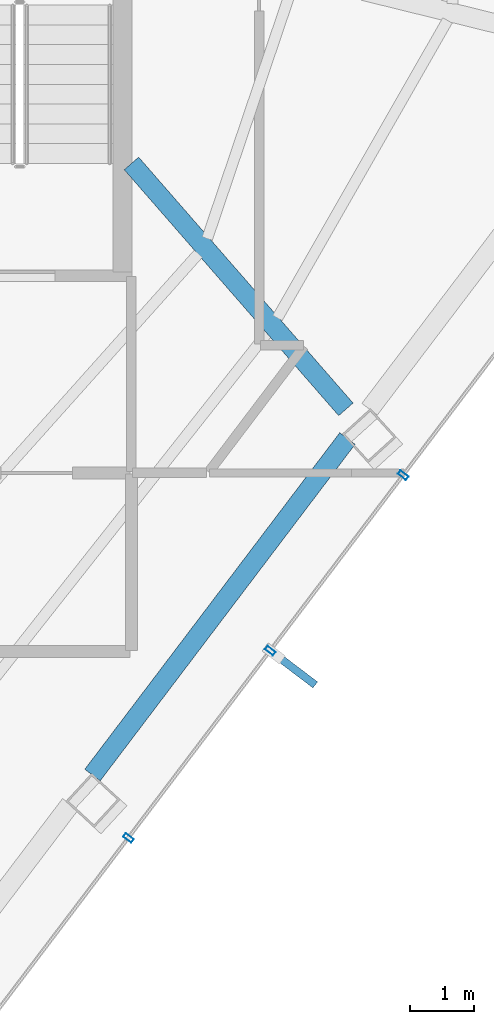
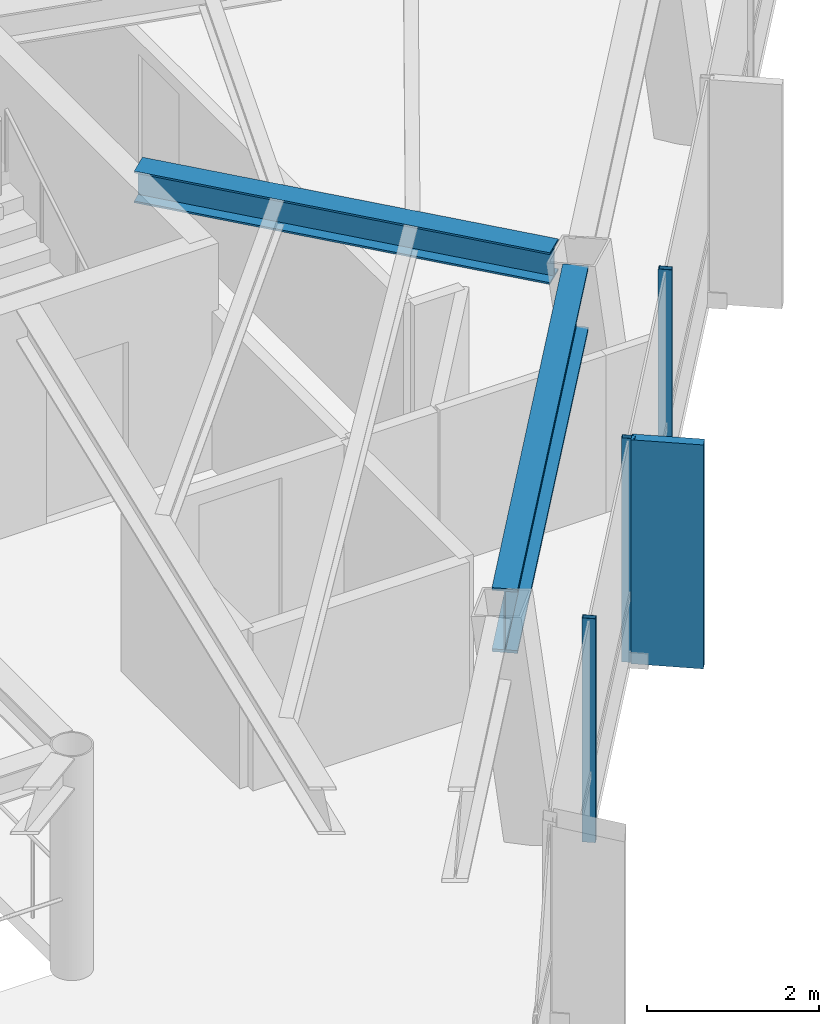
# One storey, part 15 of 25: 4 members, 2 beams, 1 element without a shape of its own.
"""IFC4 building model written with IfcOpenShell, lengths in metres."""

from ifc_helpers import new_model, si_unit, direction, frame, origin, origin_2d, place, context, subcontext, project, spatial, rectangle, hollow_rectangle, i_section, extrude, material, layer, layer_set, material_profile, profile_set, type_object, element, aggregate, save


model = new_model("IFC4")

# Units and contexts
model_context = context("Model", 3, precision=1e-05, world=origin(), true_north=direction((0.0, 1.0)))
body_context = subcontext(model_context, "Body", "Model", "MODEL_VIEW")
ifc_project = project(units=[si_unit("LENGTHUNIT", "METRE"), si_unit("AREAUNIT", "SQUARE_METRE"), si_unit("VOLUMEUNIT", "CUBIC_METRE"), si_unit("PLANEANGLEUNIT", "RADIAN"), si_unit("MASSUNIT", "GRAM", prefix="KILO")], contexts=[model_context])

# Site, building, storey
site_placement = place(None, origin())
site = spatial("IfcSite", under=ifc_project, at=site_placement, CompositionType="ELEMENT")
building_placement = place(site_placement, origin())
building = spatial("IfcBuilding", under=site, at=building_placement, Name="Zarrinselat Tower", CompositionType="ELEMENT")
storey_placement = place(building_placement, frame((0.0, 0.0, 246.159912109375)))
storey = spatial("IfcBuildingStorey", under=building, at=storey_placement, Name="L62", CompositionType="ELEMENT", Elevation=246.159912109375)

# Beams
ifc_material_1 = material(Name="Steel S355J2", Category="steel")
ifc_material_profile_1 = material_profile(ifc_material_1, i_section(OverallWidth=0.300048828125, OverallDepth=0.449951171875, WebThickness=0.013916015625, FlangeThickness=0.02587890625, at=origin_2d()), Name="HEB 450")
ifc_profile_set_1 = profile_set([ifc_material_profile_1], Name="Steel S355J2")
beam_type_1 = type_object("IfcBeamType", Name="BM-HEB450", PredefinedType="BEAM", material=ifc_profile_set_1)
beam_1_placement = place(storey_placement, frame((48.35009765625, 35.0, 2.955078125), z_axis=(0.657205460412, -0.753711471855, 0.0), x_axis=(0.753711471855, 0.657205460412, 0.0)))
element("IfcBeam", 1, at=beam_1_placement, inside=storey, type_object=beam_type_1, Name="L62 Radial Primary Girder RG13", PredefinedType="BEAM", context=body_context, shape_type="SweptSolid", body=[
    extrude(i_section(OverallWidth=0.300048828125, OverallDepth=0.449951171875, WebThickness=0.013916015625, FlangeThickness=0.02587890625, at=origin_2d()), origin(), (0.0, 0.0, 1.0), 5.11279296875),
])
ifc_material_2 = material(Name="Steel S460M", Category="steel")
ifc_material_profile_2 = material_profile(ifc_material_2, i_section(OverallWidth=0.302001953125, OverallDepth=0.909912109375, WebThickness=0.02099609375, FlangeThickness=0.0400390625, at=origin_2d()), Name="HEM 900")
ifc_profile_set_2 = profile_set([ifc_material_profile_2], Name="Steel S460M")
beam_type_2 = type_object("IfcBeamType", Name="BM-HEM900", PredefinedType="BEAM", material=ifc_profile_set_2)
beam_2_placement = place(storey_placement, frame((47.7392578125, 25.415283203125, 2.72509765625), z_axis=(0.603859819163, 0.797090533629, 0.0), x_axis=(-0.797090533629, 0.603859819163, 0.0)))
element("IfcBeam", 2, at=beam_2_placement, inside=storey, type_object=beam_type_2, Name="L62 Perimeter Spandrel Girder SP12", PredefinedType="BEAM", context=body_context, shape_type="SweptSolid", body=[
    extrude(i_section(OverallWidth=0.302001953125, OverallDepth=0.909912109375, WebThickness=0.02099609375, FlangeThickness=0.0400390625, at=origin_2d()), origin(), (0.0, 0.0, 1.0), 6.61669921875),
])

# Curtain wall, members
ifc_material_3 = material(Name="Extruded Aluminium Alloy EN AW-6063 T6", Category="aluminium")
ifc_layer = layer(ifc_material_3, 0.169921875)
ifc_layer_set = layer_set([ifc_layer], Name="Extruded Aluminium Alloy EN AW-6063 T6")
curtain_wall_type = type_object("IfcCurtainWallType", Name="CWS-RES", PredefinedType="NOTDEFINED", material=ifc_layer_set)
curtain_wall_placement = place(storey_placement, origin())
curtain_wall = element("IfcCurtainWall", 3, at=curtain_wall_placement, inside=storey, type_object=curtain_wall_type, Name="L62 Unitised Curtain Wall CW-L62-E05", PredefinedType="NOTDEFINED")
ifc_material_4 = material(Name="Extruded Aluminium Alloy EN AW-6063 T6", Category="aluminium")
ifc_material_profile_3 = material_profile(ifc_material_4, hollow_rectangle(XDim=0.070068359375, YDim=0.159912109375, WallThickness=0.00390625, at=origin_2d()), Name="RHS 160x70x4")
ifc_profile_set_3 = profile_set([ifc_material_profile_3], Name="Extruded Aluminium Alloy EN AW-6063 T6")
member_type_1 = type_object("IfcMemberType", Name="MEM-CW-MUL2", PredefinedType="MULLION", material=ifc_profile_set_3)
member_1_placement = place(storey_placement, frame((48.302978515625, 24.4296875, 0.0), z_axis=(0.0, 0.0, 1.0), x_axis=(0.603858472709, 0.797091553674, 0.0)))
member_1 = element("IfcMember", 4, at=member_1_placement, type_object=member_type_1, Name="CW-L62-E05 Mullion 2", PredefinedType="MULLION", context=body_context, shape_type="SweptSolid", body=[
    extrude(hollow_rectangle(XDim=0.070068359375, YDim=0.159912109375, WallThickness=0.00390625, at=origin_2d()), origin(), (0.0, 0.0, 1.0), 3.18017578125),
])
member_2_placement = place(storey_placement, frame((50.525390625, 27.36328125, 0.0), z_axis=(0.0, 0.0, 1.0), x_axis=(0.603858472709, 0.797091553674, 0.0)))
member_2 = element("IfcMember", 5, at=member_2_placement, type_object=member_type_1, Name="CW-L62-E05 Mullion 3", PredefinedType="MULLION", context=body_context, shape_type="SweptSolid", body=[
    extrude(hollow_rectangle(XDim=0.070068359375, YDim=0.159912109375, WallThickness=0.00390625, at=origin_2d()), origin(), (0.0, 0.0, 1.0), 3.18017578125),
])
member_3_placement = place(storey_placement, frame((52.60888671875, 30.11376953125, 0.0), z_axis=(0.0, 0.0, 1.0), x_axis=(0.603858472709, 0.797091553674, 0.0)))
member_3 = element("IfcMember", 6, at=member_3_placement, type_object=member_type_1, Name="CW-L62-E05 Mullion 4", PredefinedType="MULLION", context=body_context, shape_type="SweptSolid", body=[
    extrude(hollow_rectangle(XDim=0.070068359375, YDim=0.159912109375, WallThickness=0.00390625, at=origin_2d()), origin(), (0.0, 0.0, 1.0), 3.18017578125),
])
ifc_material_5 = material(Name="Honed Cream Travertine Stone", Category="masonry")
ifc_material_profile_4 = material_profile(ifc_material_5, rectangle(XDim=0.1201171875, YDim=0.85009765625, at=origin_2d()), Name="FIN 850x120")
ifc_profile_set_4 = profile_set([ifc_material_profile_4], Name="Honed Cream Travertine Stone")
member_type_2 = type_object("IfcMemberType", Name="MEM-STONE-FIN", PredefinedType="USERDEFINED", material=ifc_profile_set_4)
member_4_placement = place(storey_placement, frame((50.89208984375, 27.08544921875, 0.0), z_axis=(0.0, 0.0, 1.0), x_axis=(-0.603858472709, -0.797091553674, 0.0)))
member_4 = element("IfcMember", 7, at=member_4_placement, type_object=member_type_2, Name="L62 Stone Shading Fin CW-L62-E05-03", ObjectType="FIN", PredefinedType="USERDEFINED", context=body_context, shape_type="SweptSolid", body=[
    extrude(rectangle(XDim=0.1201171875, YDim=0.85009765625, at=origin_2d()), origin(), (0.0, 0.0, 1.0), 3.18017578125),
])
aggregate(curtain_wall, [member_1, member_2, member_4, member_3])

save(model, "model.ifc")
